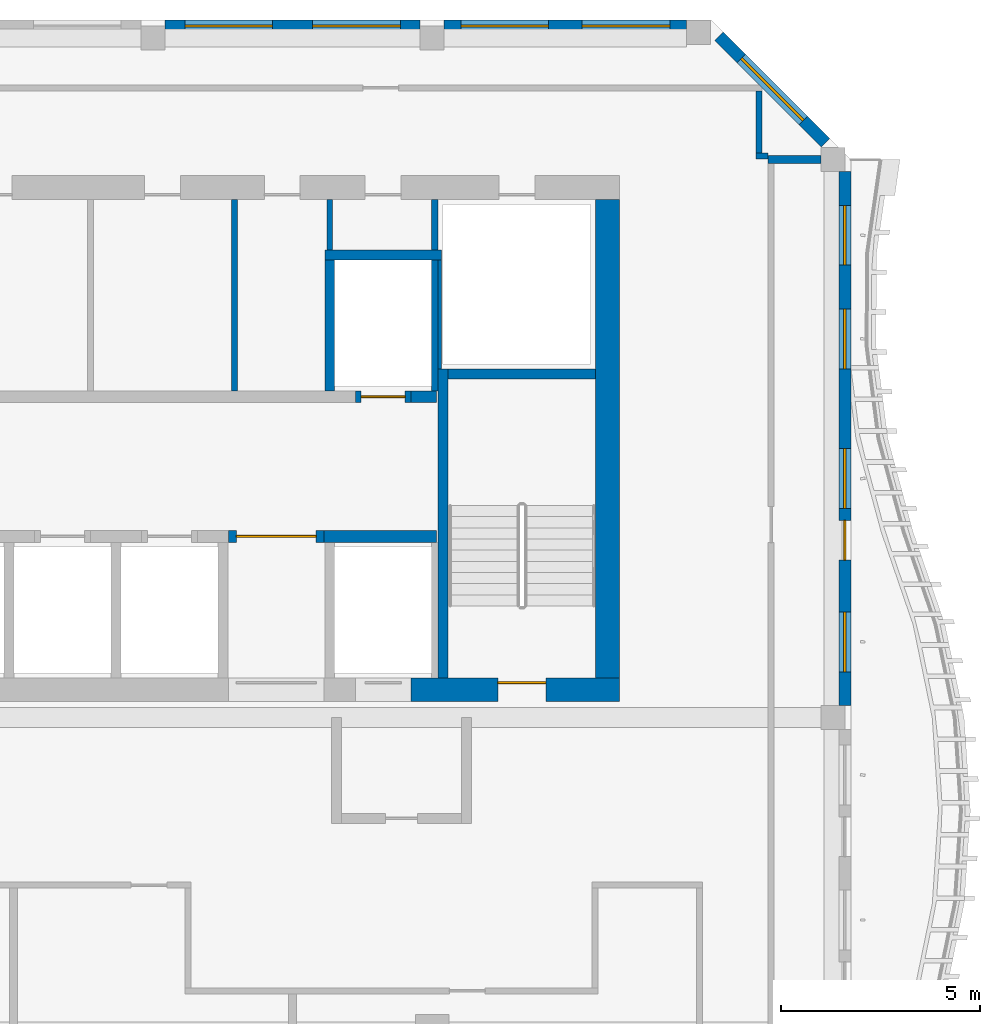
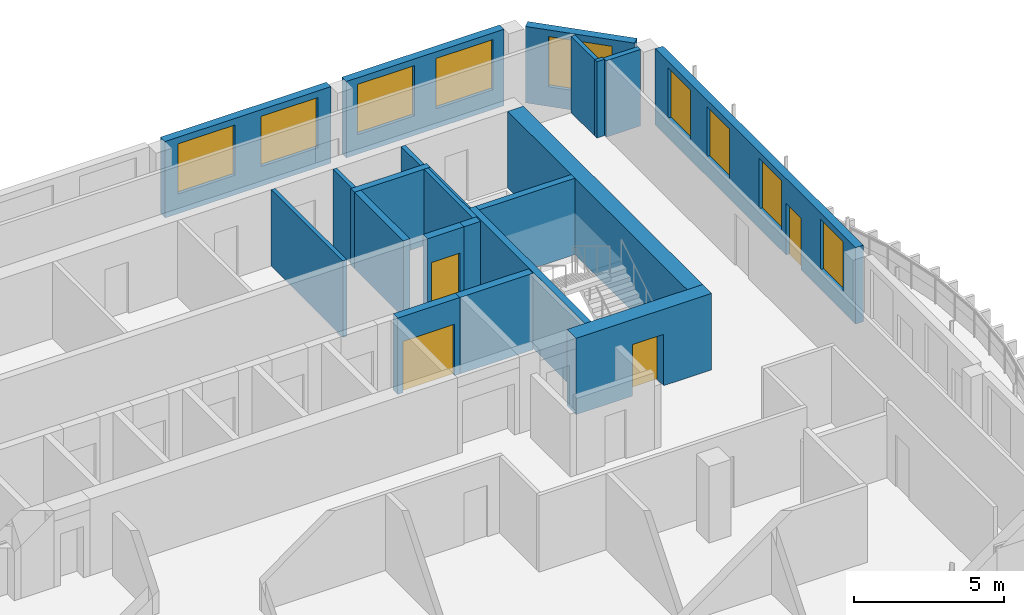
# One storey, part 8 of 17: 22 walls, 9 windows, 4 doors, 13 openings.
"""IFC4 building model written with IfcOpenShell, lengths in metres."""

from ifc_helpers import new_model, si_unit, direction, frame, frame_2d, origin, place, context, subcontext, project, spatial, rectangle, extrude, source, transform, mapped, material, layer, layer_set, type_object, element, fill, save


model = new_model("IFC4")

# Units and contexts
model_context = context("Model", 3, precision=1e-05, world=origin(), true_north=direction((0.0, 1.0)))
body_context = subcontext(model_context, "Body", "Model", "MODEL_VIEW")
ifc_project = project(units=[si_unit("LENGTHUNIT", "METRE"), si_unit("AREAUNIT", "SQUARE_METRE"), si_unit("VOLUMEUNIT", "CUBIC_METRE"), si_unit("PLANEANGLEUNIT", "RADIAN"), si_unit("MASSUNIT", "GRAM", prefix="KILO")], contexts=[model_context])

# Site, building, storey
site_placement = place(None, origin())
site = spatial("IfcSite", under=ifc_project, at=site_placement, CompositionType="ELEMENT")
building_placement = place(site_placement, origin())
building = spatial("IfcBuilding", under=site, at=building_placement, Name="Kilnfold Tower and Market Hall", CompositionType="ELEMENT")
storey_placement = place(building_placement, frame((0.0, 0.0, 305.199951171875)))
storey = spatial("IfcBuildingStorey", under=building, at=storey_placement, Name="L76", CompositionType="ELEMENT", Elevation=305.199951171875)

# Walls
ifc_material_1 = material(Name="Gypsum board on steel studs", Category="steel")
ifc_layer_1 = layer(ifc_material_1, 0.14990234375)
ifc_layer_set_1 = layer_set([ifc_layer_1], Name="Gypsum board on steel studs")
wall_type_1 = type_object("IfcWallType", Name="WALL CORRIDOR 150", PredefinedType="PARTITIONING", material=ifc_layer_set_1)
wall_1_placement = place(storey_placement, frame((21.199951171875, 22.1630859375, 0.0), z_axis=(0.0, 0.0, 1.0), x_axis=(0.0, 1.0, 0.0)))
element("IfcWall", 1, at=wall_1_placement, inside=storey, type_object=wall_type_1, Name="Partition LY46.8", PredefinedType="PARTITIONING", context=body_context, shape_type="SweptSolid", body=[
    extrude(rectangle(XDim=1.56201171875, YDim=0.14990234375, at=frame_2d((0.781005859375, 0.0))), origin(), (0.0, 0.0, 1.0), 3.1201171875),
])
wall_2_placement = place(storey_placement, frame((21.427001953125, 22.087890625, 0.0), z_axis=(0.0, 0.0, 1.0), x_axis=(-1.0, 0.0, 0.0)))
element("IfcWall", 2, at=wall_2_placement, inside=storey, type_object=wall_type_1, Name="Partition LY46.9", PredefinedType="PARTITIONING", context=body_context, shape_type="SweptSolid", body=[
    extrude(rectangle(XDim=0.302001953125, YDim=0.14990234375, at=frame_2d((0.15087890625, 0.0))), origin(), (0.0, 0.0, 1.0), 3.1201171875),
])
ifc_material_2 = material(Name="Gypsum board on steel studs", Category="steel")
ifc_layer_2 = layer(ifc_material_2, 0.199951171875)
ifc_layer_set_2 = layer_set([ifc_layer_2], Name="Gypsum board on steel studs")
wall_type_2 = type_object("IfcWallType", Name="WALL PARTY 200", PredefinedType="PARTITIONING", material=ifc_layer_set_2)
wall_3_placement = place(storey_placement, frame((22.75, 22.0, 0.0), z_axis=(0.0, 0.0, 1.0), x_axis=(-1.0, 0.0, 0.0)))
element("IfcWall", 3, at=wall_3_placement, inside=storey, type_object=wall_type_2, Name="Partition LY46.58", PredefinedType="PARTITIONING", context=body_context, shape_type="SweptSolid", body=[
    extrude(rectangle(XDim=1.322998046875, YDim=0.199951171875, at=frame_2d((0.66162109375, 0.0))), origin(), (0.0, 0.0, 1.0), 3.1201171875),
])
ifc_material_3 = material(Name="Concrete C50", Category="concrete")
ifc_layer_3 = layer(ifc_material_3, 0.25)
ifc_layer_set_3 = layer_set([ifc_layer_3], Name="Concrete C50")
wall_type_3 = type_object("IfcWallType", Name="CORE WALL 250 C50", PredefinedType="SHEAR", material=ifc_layer_set_3)
shared_shape_1 = source(origin(), body_context, "Body", "SweptSolid", [
    extrude(rectangle(XDim=7.75, YDim=0.25, at=frame_2d((3.875, 0.0))), origin(), (0.0, 0.0, 1.0), 3.1201171875),
])
wall_4_placement = place(storey_placement, frame((13.27490234375, 9.0, 0.0), z_axis=(0.0, 0.0, 1.0), x_axis=(0.0, 1.0, 0.0)))
element("IfcWall", 4, at=wall_4_placement, inside=storey, type_object=wall_type_3, Name="Stair enclosure ST2", PredefinedType="SHEAR", context=body_context, shape_type="MappedRepresentation", body=[
    mapped(shared_shape_1, transform((0.0, 0.0, 0.0))),
])
shared_shape_2 = source(origin(), body_context, "Body", "SweptSolid", [
    extrude(rectangle(XDim=3.7001953125, YDim=0.25, at=frame_2d((1.85009765625, 0.0))), origin(), (0.0, 0.0, 1.0), 3.1201171875),
])
wall_5_placement = place(storey_placement, frame((13.39990234375, 16.625, 0.0), z_axis=(0.0, 0.0, 1.0), x_axis=(1.0, 0.0, 0.0)))
element("IfcWall", 5, at=wall_5_placement, inside=storey, type_object=wall_type_3, Name="Stair enclosure ST2", PredefinedType="SHEAR", context=body_context, shape_type="MappedRepresentation", body=[
    mapped(shared_shape_2, transform((0.0, 0.0, 0.0))),
])
ifc_material_4 = material(Name="Concrete C50", Category="concrete")
ifc_layer_4 = layer(ifc_material_4, 0.300048828125)
ifc_layer_set_4 = layer_set([ifc_layer_4], Name="Concrete C50")
wall_type_4 = type_object("IfcWallType", Name="CORE WALL 300 C50", PredefinedType="SHEAR", material=ifc_layer_set_4)
shared_shape_3 = source(origin(), body_context, "Body", "SweptSolid", [
    extrude(rectangle(XDim=2.820068359375, YDim=0.300048828125, at=frame_2d((1.41015625, 0.0))), origin(), (0.0, 0.0, 1.0), 3.1201171875),
])
wall_6_placement = place(storey_placement, frame((10.2900390625, 12.550048828125, 0.0), z_axis=(0.0, 0.0, 1.0), x_axis=(1.0, 0.0, 0.0)))
element("IfcWall", 6, at=wall_6_placement, inside=storey, type_object=wall_type_4, Name="Core spine wall", PredefinedType="SHEAR", context=body_context, shape_type="MappedRepresentation", body=[
    mapped(shared_shape_3, transform((0.0, 0.0, 0.0))),
])
shared_shape_4 = source(origin(), body_context, "Body", "SweptSolid", [
    extrude(rectangle(XDim=0.64013671875, YDim=0.300048828125, at=frame_2d((0.320068359375, 0.0))), origin(), (0.0, 0.0, 1.0), 3.1201171875),
])
wall_7_placement = place(storey_placement, frame((12.469970703125, 16.050048828125, 0.0), z_axis=(0.0, 0.0, 1.0), x_axis=(1.0, 0.0, 0.0)))
element("IfcWall", 7, at=wall_7_placement, inside=storey, type_object=wall_type_4, Name="Core spine wall", PredefinedType="SHEAR", context=body_context, shape_type="MappedRepresentation", body=[
    mapped(shared_shape_4, transform((0.0, 0.0, 0.0))),
])

# Wall, opening, door
ifc_material_5 = material(Name="Concrete C50", Category="concrete")
ifc_layer_5 = layer(ifc_material_5, 0.60009765625)
ifc_layer_set_5 = layer_set([ifc_layer_5], Name="Concrete C50")
wall_type_5 = type_object("IfcWallType", Name="CORE WALL 600 C50", PredefinedType="SHEAR", material=ifc_layer_set_5)
shared_shape_5 = source(origin(), body_context, "Body", "SweptSolid", [
    extrude(rectangle(XDim=5.22998046875, YDim=0.60009765625, at=frame_2d((2.614990234375, 0.0))), origin(), (0.0, 0.0, 1.0), 3.1201171875),
])
wall_8_placement = place(storey_placement, frame((12.469970703125, 8.699951171875, 0.0), z_axis=(0.0, 0.0, 1.0), x_axis=(1.0, 0.0, 0.0)))
wall_8 = element("IfcWall", 8, at=wall_8_placement, inside=storey, type_object=wall_type_5, Name="Core outer wall south", PredefinedType="SHEAR", context=body_context, shape_type="MappedRepresentation", body=[
    mapped(shared_shape_5, transform((0.0, 0.0, 0.0))),
])
opening_1_placement = place(wall_8_placement, frame((2.179931640625, 0.0, 0.0)))
opening_1 = element("IfcOpeningElement", 9, at=opening_1_placement, cuts=wall_8, Name="Opening SD1", PredefinedType="OPENING", context=body_context, shape_type="SweptSolid", body=[
    extrude(rectangle(XDim=1.199951171875, YDim=2.10009765625, at=frame_2d((0.60009765625, 1.050048828125))), frame((0.0, 0.31005859375, 0.0), z_axis=(0.0, -1.0, 0.0), x_axis=(1.0, 0.0, 0.0)), (0.0, 0.0, 1.0), 0.6201171875),
])
ifc_material_6 = material(Name="Steel door set with fire-resisting leaf", Category="steel")
door_type_1 = type_object("IfcDoorType", Name="STAIR FLOOR DOOR 1200X2100", OperationType="NOTDEFINED", PredefinedType="DOOR", material=ifc_material_6)
door_1_placement = place(opening_1_placement, origin())
door_1 = element("IfcDoor", 10, at=door_1_placement, inside=storey, type_object=door_type_1, Name="Exit stair ST2 door", OperationType="DOUBLE_DOOR_SINGLE_SWING", OverallHeight=2.10009765625, OverallWidth=1.199951171875, PredefinedType="DOOR", context=body_context, shape_type="SweptSolid", body=[
    extrude(rectangle(XDim=1.199951171875, YDim=2.10009765625, at=frame_2d((0.60009765625, 1.050048828125))), frame((0.0, 0.205078125, 0.0), z_axis=(0.0, -1.0, 0.0), x_axis=(1.0, 0.0, 0.0)), (0.0, 0.0, 1.0), 0.050048828125),
])
fill(opening_1, door_1)

# Wall
shared_shape_6 = source(origin(), body_context, "Body", "SweptSolid", [
    extrude(rectangle(XDim=12.0, YDim=0.60009765625, at=frame_2d((6.0, 0.0))), origin(), (0.0, 0.0, 1.0), 3.1201171875),
])
wall_9_placement = place(storey_placement, frame((17.39990234375, 9.0, 0.0), z_axis=(0.0, 0.0, 1.0), x_axis=(0.0, 1.0, 0.0)))
element("IfcWall", 11, at=wall_9_placement, inside=storey, type_object=wall_type_5, Name="Core outer wall east", PredefinedType="SHEAR", context=body_context, shape_type="MappedRepresentation", body=[
    mapped(shared_shape_6, transform((0.0, 0.0, 0.0))),
])

# Wall, openings, windows
ifc_material_7 = material(Name="Precast concrete C50/60", Category="concrete")
ifc_layer_6 = layer(ifc_material_7, 0.300048828125)
ifc_layer_set_6 = layer_set([ifc_layer_6], Name="Precast concrete C50/60")
wall_type_6 = type_object("IfcWallType", Name="PRECAST WALL 300", PredefinedType="SOLIDWALL", material=ifc_layer_set_6)
shared_shape_7 = source(origin(), body_context, "Body", "SweptSolid", [
    extrude(rectangle(XDim=6.39990234375, YDim=0.300048828125, at=frame_2d((3.199951171875, 0.0))), origin(), (0.0, 0.0, 1.0), 3.1201171875),
])
wall_10_placement = place(storey_placement, frame((12.699951171875, 25.35009765625, 0.0), z_axis=(0.0, 0.0, 1.0), x_axis=(-1.0, 0.0, 0.0)))
wall_10 = element("IfcWall", 12, at=wall_10_placement, inside=storey, type_object=wall_type_6, Name="External wall L76 N", PredefinedType="SOLIDWALL", context=body_context, shape_type="MappedRepresentation", body=[
    mapped(shared_shape_7, transform((0.0, 0.0, 0.0))),
])
opening_2_placement = place(wall_10_placement, frame((0.5, 0.0, 0.800048828125)))
opening_2 = element("IfcOpeningElement", 13, at=opening_2_placement, cuts=wall_10, Name="Opening W3", PredefinedType="OPENING", context=body_context, shape_type="SweptSolid", body=[
    extrude(rectangle(XDim=2.199951171875, YDim=2.050048828125, at=frame_2d((1.10009765625, 1.02490234375))), frame((0.0, 0.16015625, 0.0), z_axis=(0.0, -1.0, 0.0), x_axis=(1.0, 0.0, 0.0)), (0.0, 0.0, 1.0), 0.320068359375),
])
opening_3_placement = place(wall_10_placement, frame((3.699951171875, 0.0, 0.800048828125)))
opening_3 = element("IfcOpeningElement", 14, at=opening_3_placement, cuts=wall_10, Name="Opening W3", PredefinedType="OPENING", context=body_context, shape_type="SweptSolid", body=[
    extrude(rectangle(XDim=2.199951171875, YDim=2.050048828125, at=frame_2d((1.10009765625, 1.02490234375))), frame((0.0, 0.16015625, 0.0), z_axis=(0.0, -1.0, 0.0), x_axis=(1.0, 0.0, 0.0)), (0.0, 0.0, 1.0), 0.320068359375),
])
ifc_material_8 = material(Name="Aluminium frame and double glazing", Category="aluminium")
window_type_1 = type_object("IfcWindowType", Name="WINDOW W3 2200X2050", PartitioningType="SINGLE_PANEL", PredefinedType="WINDOW", material=ifc_material_8)
window_1_placement = place(opening_2_placement, origin())
window_1 = element("IfcWindow", 15, at=window_1_placement, inside=storey, type_object=window_type_1, Name="Window W3 L76 N-1", OverallHeight=2.050048828125, OverallWidth=2.199951171875, PartitioningType="SINGLE_PANEL", PredefinedType="WINDOW", context=body_context, shape_type="SweptSolid", body=[
    extrude(rectangle(XDim=2.199951171875, YDim=2.050048828125, at=frame_2d((1.10009765625, 1.02490234375))), frame((0.0, 0.030029296875, 0.0), z_axis=(0.0, -1.0, 0.0), x_axis=(1.0, 0.0, 0.0)), (0.0, 0.0, 1.0), 0.06005859375),
])
fill(opening_2, window_1)
window_2_placement = place(opening_3_placement, origin())
window_2 = element("IfcWindow", 16, at=window_2_placement, inside=storey, type_object=window_type_1, Name="Window W3 L76 N-2", OverallHeight=2.050048828125, OverallWidth=2.199951171875, PartitioningType="SINGLE_PANEL", PredefinedType="WINDOW", context=body_context, shape_type="SweptSolid", body=[
    extrude(rectangle(XDim=2.199951171875, YDim=2.050048828125, at=frame_2d((1.10009765625, 1.02490234375))), frame((0.0, 0.030029296875, 0.0), z_axis=(0.0, -1.0, 0.0), x_axis=(1.0, 0.0, 0.0)), (0.0, 0.0, 1.0), 0.06005859375),
])
fill(opening_3, window_2)

# Wall, opening, window
shared_shape_8 = source(origin(), body_context, "Body", "SweptSolid", [
    extrude(rectangle(XDim=3.783203125, YDim=0.300048828125, at=frame_2d((1.8916015625, 0.0))), origin(), (0.0, 0.0, 1.0), 3.1201171875),
])
wall_11_placement = place(storey_placement, frame((22.868896484375, 22.4189453125, 0.0), z_axis=(0.0, 0.0, 1.0), x_axis=(-0.707106781187, 0.707106781187, 0.0)))
wall_11 = element("IfcWall", 17, at=wall_11_placement, inside=storey, type_object=wall_type_6, Name="External wall L76 NE", PredefinedType="SOLIDWALL", context=body_context, shape_type="MappedRepresentation", body=[
    mapped(shared_shape_8, transform((0.0, 0.0, 0.0))),
])
opening_4_placement = place(wall_11_placement, frame((0.79150390625, 0.0, 0.800048828125)))
opening_4 = element("IfcOpeningElement", 18, at=opening_4_placement, cuts=wall_11, Name="Opening W3", PredefinedType="OPENING", context=body_context, shape_type="SweptSolid", body=[
    extrude(rectangle(XDim=2.199951171875, YDim=2.050048828125, at=frame_2d((1.10009765625, 1.02490234375))), frame((0.0, 0.16015625, 0.0), z_axis=(0.0, -1.0, 0.0), x_axis=(1.0, 0.0, 0.0)), (0.0, 0.0, 1.0), 0.320068359375),
])
window_3_placement = place(opening_4_placement, origin())
window_3 = element("IfcWindow", 19, at=window_3_placement, inside=storey, type_object=window_type_1, Name="Window W3 L76 NE-1", OverallHeight=2.050048828125, OverallWidth=2.199951171875, PartitioningType="SINGLE_PANEL", PredefinedType="WINDOW", context=body_context, shape_type="SweptSolid", body=[
    extrude(rectangle(XDim=2.199951171875, YDim=2.050048828125, at=frame_2d((1.10009765625, 1.02490234375))), frame((0.0, 0.030029296875, 0.0), z_axis=(0.0, -1.0, 0.0), x_axis=(1.0, 0.0, 0.0)), (0.0, 0.0, 1.0), 0.06005859375),
])
fill(opening_4, window_3)

# Wall, openings, door, windows
shared_shape_9 = source(origin(), body_context, "Body", "SweptSolid", [
    extrude(rectangle(XDim=13.39990234375, YDim=0.300048828125, at=frame_2d((6.699951171875, 0.0))), origin(), (0.0, 0.0, 1.0), 3.1201171875),
])
wall_12_placement = place(storey_placement, frame((23.35009765625, 8.300048828125, 0.0), z_axis=(0.0, 0.0, 1.0), x_axis=(0.0, 1.0, 0.0)))
wall_12 = element("IfcWall", 20, at=wall_12_placement, inside=storey, type_object=wall_type_6, Name="External wall L76 E", PredefinedType="SOLIDWALL", context=body_context, shape_type="MappedRepresentation", body=[
    mapped(shared_shape_9, transform((0.0, 0.0, 0.0))),
])
opening_5_placement = place(wall_12_placement, frame((0.85009765625, 0.0, 0.800048828125)))
opening_5 = element("IfcOpeningElement", 21, at=opening_5_placement, cuts=wall_12, Name="Opening W5", PredefinedType="OPENING", context=body_context, shape_type="SweptSolid", body=[
    extrude(rectangle(XDim=1.5, YDim=2.050048828125, at=frame_2d((0.75, 1.02490234375))), frame((0.0, 0.16015625, 0.0), z_axis=(0.0, -1.0, 0.0), x_axis=(1.0, 0.0, 0.0)), (0.0, 0.0, 1.0), 0.320068359375),
])
opening_6_placement = place(wall_12_placement, frame((4.949951171875, 0.0, 0.800048828125)))
opening_6 = element("IfcOpeningElement", 22, at=opening_6_placement, cuts=wall_12, Name="Opening W5", PredefinedType="OPENING", context=body_context, shape_type="SweptSolid", body=[
    extrude(rectangle(XDim=1.5, YDim=2.050048828125, at=frame_2d((0.75, 1.02490234375))), frame((0.0, 0.16015625, 0.0), z_axis=(0.0, -1.0, 0.0), x_axis=(1.0, 0.0, 0.0)), (0.0, 0.0, 1.0), 0.320068359375),
])
opening_7_placement = place(wall_12_placement, frame((3.64990234375, 0.0, 0.0)))
opening_7 = element("IfcOpeningElement", 23, at=opening_7_placement, cuts=wall_12, Name="Opening BD1", PredefinedType="OPENING", context=body_context, shape_type="SweptSolid", body=[
    extrude(rectangle(XDim=1.0, YDim=2.10009765625, at=frame_2d((0.5, 1.050048828125))), frame((0.0, 0.16015625, 0.0), z_axis=(0.0, -1.0, 0.0), x_axis=(1.0, 0.0, 0.0)), (0.0, 0.0, 1.0), 0.320068359375),
])
opening_8_placement = place(wall_12_placement, frame((8.449951171875, 0.0, 0.800048828125)))
opening_8 = element("IfcOpeningElement", 24, at=opening_8_placement, cuts=wall_12, Name="Opening W5", PredefinedType="OPENING", context=body_context, shape_type="SweptSolid", body=[
    extrude(rectangle(XDim=1.5, YDim=2.050048828125, at=frame_2d((0.75, 1.02490234375))), frame((0.0, 0.16015625, 0.0), z_axis=(0.0, -1.0, 0.0), x_axis=(1.0, 0.0, 0.0)), (0.0, 0.0, 1.0), 0.320068359375),
])
opening_9_placement = place(wall_12_placement, frame((11.050048828125, 0.0, 0.800048828125)))
opening_9 = element("IfcOpeningElement", 25, at=opening_9_placement, cuts=wall_12, Name="Opening W5", PredefinedType="OPENING", context=body_context, shape_type="SweptSolid", body=[
    extrude(rectangle(XDim=1.5, YDim=2.050048828125, at=frame_2d((0.75, 1.02490234375))), frame((0.0, 0.16015625, 0.0), z_axis=(0.0, -1.0, 0.0), x_axis=(1.0, 0.0, 0.0)), (0.0, 0.0, 1.0), 0.320068359375),
])
ifc_material_9 = material(Name="Aluminium frame and double glazing", Category="aluminium")
door_type_2 = type_object("IfcDoorType", Name="BALCONY DOOR 1000X2100", OperationType="NOTDEFINED", PredefinedType="DOOR", material=ifc_material_9)
door_2_placement = place(opening_7_placement, origin())
door_2 = element("IfcDoor", 26, at=door_2_placement, inside=storey, type_object=door_type_2, Name="Balcony door BD1 L76 E-2", OperationType="SINGLE_SWING_RIGHT", OverallHeight=2.10009765625, OverallWidth=1.0, PredefinedType="DOOR", context=body_context, shape_type="SweptSolid", body=[
    extrude(rectangle(XDim=1.0, YDim=2.10009765625, at=frame_2d((0.5, 1.050048828125))), frame((0.0, 0.02490234375, 0.0), z_axis=(0.0, -1.0, 0.0), x_axis=(1.0, 0.0, 0.0)), (0.0, 0.0, 1.0), 0.050048828125),
])
fill(opening_7, door_2)
ifc_material_10 = material(Name="Aluminium frame and double glazing", Category="aluminium")
window_type_2 = type_object("IfcWindowType", Name="WINDOW W5 1500X2050", PartitioningType="SINGLE_PANEL", PredefinedType="WINDOW", material=ifc_material_10)
window_4_placement = place(opening_5_placement, origin())
window_4 = element("IfcWindow", 27, at=window_4_placement, inside=storey, type_object=window_type_2, Name="Window W5 L76 E-1", OverallHeight=2.050048828125, OverallWidth=1.5, PartitioningType="SINGLE_PANEL", PredefinedType="WINDOW", context=body_context, shape_type="SweptSolid", body=[
    extrude(rectangle(XDim=1.5, YDim=2.050048828125, at=frame_2d((0.75, 1.02490234375))), frame((0.0, 0.030029296875, 0.0), z_axis=(0.0, -1.0, 0.0), x_axis=(1.0, 0.0, 0.0)), (0.0, 0.0, 1.0), 0.06005859375),
])
fill(opening_5, window_4)
window_5_placement = place(opening_6_placement, origin())
window_5 = element("IfcWindow", 28, at=window_5_placement, inside=storey, type_object=window_type_2, Name="Window W5 L76 E-2", OverallHeight=2.050048828125, OverallWidth=1.5, PartitioningType="SINGLE_PANEL", PredefinedType="WINDOW", context=body_context, shape_type="SweptSolid", body=[
    extrude(rectangle(XDim=1.5, YDim=2.050048828125, at=frame_2d((0.75, 1.02490234375))), frame((0.0, 0.030029296875, 0.0), z_axis=(0.0, -1.0, 0.0), x_axis=(1.0, 0.0, 0.0)), (0.0, 0.0, 1.0), 0.06005859375),
])
fill(opening_6, window_5)
window_6_placement = place(opening_8_placement, origin())
window_6 = element("IfcWindow", 29, at=window_6_placement, inside=storey, type_object=window_type_2, Name="Window W5 L76 E-3", OverallHeight=2.050048828125, OverallWidth=1.5, PartitioningType="SINGLE_PANEL", PredefinedType="WINDOW", context=body_context, shape_type="SweptSolid", body=[
    extrude(rectangle(XDim=1.5, YDim=2.050048828125, at=frame_2d((0.75, 1.02490234375))), frame((0.0, 0.030029296875, 0.0), z_axis=(0.0, -1.0, 0.0), x_axis=(1.0, 0.0, 0.0)), (0.0, 0.0, 1.0), 0.06005859375),
])
fill(opening_8, window_6)
window_7_placement = place(opening_9_placement, origin())
window_7 = element("IfcWindow", 30, at=window_7_placement, inside=storey, type_object=window_type_2, Name="Window W5 L76 E-4", OverallHeight=2.050048828125, OverallWidth=1.5, PartitioningType="SINGLE_PANEL", PredefinedType="WINDOW", context=body_context, shape_type="SweptSolid", body=[
    extrude(rectangle(XDim=1.5, YDim=2.050048828125, at=frame_2d((0.75, 1.02490234375))), frame((0.0, 0.030029296875, 0.0), z_axis=(0.0, -1.0, 0.0), x_axis=(1.0, 0.0, 0.0)), (0.0, 0.0, 1.0), 0.06005859375),
])
fill(opening_9, window_7)

# Wall, openings, windows
shared_shape_10 = source(origin(), body_context, "Body", "SweptSolid", [
    extrude(rectangle(XDim=6.081787109375, YDim=0.300048828125, at=frame_2d((3.041015625, 0.0))), origin(), (0.0, 0.0, 1.0), 3.1201171875),
])
wall_13_placement = place(storey_placement, frame((19.3818359375, 25.35009765625, 0.0), z_axis=(0.0, 0.0, 1.0), x_axis=(-1.0, 0.0, 0.0)))
wall_13 = element("IfcWall", 31, at=wall_13_placement, inside=storey, type_object=wall_type_6, Name="External wall L76 N", PredefinedType="SOLIDWALL", context=body_context, shape_type="MappedRepresentation", body=[
    mapped(shared_shape_10, transform((0.0, 0.0, 0.0))),
])
opening_10_placement = place(wall_13_placement, frame((0.42041015625, 0.0, 0.800048828125)))
opening_10 = element("IfcOpeningElement", 32, at=opening_10_placement, cuts=wall_13, Name="Opening W3", PredefinedType="OPENING", context=body_context, shape_type="SweptSolid", body=[
    extrude(rectangle(XDim=2.199951171875, YDim=2.050048828125, at=frame_2d((1.10009765625, 1.02490234375))), frame((0.0, 0.16015625, 0.0), z_axis=(0.0, -1.0, 0.0), x_axis=(1.0, 0.0, 0.0)), (0.0, 0.0, 1.0), 0.320068359375),
])
opening_11_placement = place(wall_13_placement, frame((3.461181640625, 0.0, 0.800048828125)))
opening_11 = element("IfcOpeningElement", 33, at=opening_11_placement, cuts=wall_13, Name="Opening W3", PredefinedType="OPENING", context=body_context, shape_type="SweptSolid", body=[
    extrude(rectangle(XDim=2.199951171875, YDim=2.050048828125, at=frame_2d((1.10009765625, 1.02490234375))), frame((0.0, 0.16015625, 0.0), z_axis=(0.0, -1.0, 0.0), x_axis=(1.0, 0.0, 0.0)), (0.0, 0.0, 1.0), 0.320068359375),
])
window_8_placement = place(opening_10_placement, origin())
window_8 = element("IfcWindow", 34, at=window_8_placement, inside=storey, type_object=window_type_1, Name="Window W3 L76 N-1", OverallHeight=2.050048828125, OverallWidth=2.199951171875, PartitioningType="SINGLE_PANEL", PredefinedType="WINDOW", context=body_context, shape_type="SweptSolid", body=[
    extrude(rectangle(XDim=2.199951171875, YDim=2.050048828125, at=frame_2d((1.10009765625, 1.02490234375))), frame((0.0, 0.030029296875, 0.0), z_axis=(0.0, -1.0, 0.0), x_axis=(1.0, 0.0, 0.0)), (0.0, 0.0, 1.0), 0.06005859375),
])
fill(opening_10, window_8)
window_9_placement = place(opening_11_placement, origin())
window_9 = element("IfcWindow", 35, at=window_9_placement, inside=storey, type_object=window_type_1, Name="Window W3 L76 N-2", OverallHeight=2.050048828125, OverallWidth=2.199951171875, PartitioningType="SINGLE_PANEL", PredefinedType="WINDOW", context=body_context, shape_type="SweptSolid", body=[
    extrude(rectangle(XDim=2.199951171875, YDim=2.050048828125, at=frame_2d((1.10009765625, 1.02490234375))), frame((0.0, 0.030029296875, 0.0), z_axis=(0.0, -1.0, 0.0), x_axis=(1.0, 0.0, 0.0)), (0.0, 0.0, 1.0), 0.06005859375),
])
fill(opening_11, window_9)

# Wall, opening, door
ifc_material_11 = material(Name="Gypsum shaft wall system")
ifc_layer_7 = layer(ifc_material_11, 0.300048828125)
ifc_layer_set_7 = layer_set([ifc_layer_7], Name="Gypsum shaft wall system")
wall_type_7 = type_object("IfcWallType", Name="SHAFT WALL 300", PredefinedType="PARTITIONING", material=ifc_layer_set_7)
shared_shape_11 = source(origin(), body_context, "Body", "SweptSolid", [
    extrude(rectangle(XDim=1.39990234375, YDim=0.300048828125, at=frame_2d((0.699951171875, 0.0))), origin(), (0.0, 0.0, 1.0), 3.1201171875),
])
wall_14_placement = place(storey_placement, frame((11.070068359375, 16.050048828125, 0.0), z_axis=(0.0, 0.0, 1.0), x_axis=(1.0, 0.0, 0.0)))
wall_14 = element("IfcWall", 36, at=wall_14_placement, inside=storey, type_object=wall_type_7, Name="Lift shaft front wall", PredefinedType="PARTITIONING", context=body_context, shape_type="MappedRepresentation", body=[
    mapped(shared_shape_11, transform((0.0, 0.0, 0.0))),
])
opening_12_placement = place(wall_14_placement, frame((0.14990234375, 0.0, 0.0)))
opening_12 = element("IfcOpeningElement", 37, at=opening_12_placement, cuts=wall_14, Name="Opening LD2", PredefinedType="OPENING", context=body_context, shape_type="SweptSolid", body=[
    extrude(rectangle(XDim=1.10009765625, YDim=2.10009765625, at=frame_2d((0.550048828125, 1.050048828125))), frame((0.0, 0.16015625, 0.0), z_axis=(0.0, -1.0, 0.0), x_axis=(1.0, 0.0, 0.0)), (0.0, 0.0, 1.0), 0.320068359375),
])
ifc_material_12 = material(Name="Steel door set with fire-resisting leaf", Category="steel")
door_type_3 = type_object("IfcDoorType", Name="LANDING DOOR 1100X2100", OperationType="NOTDEFINED", PredefinedType="DOOR", material=ifc_material_12)
door_3_placement = place(opening_12_placement, origin())
door_3 = element("IfcDoor", 38, at=door_3_placement, inside=storey, type_object=door_type_3, Name="Landing door HR6", OperationType="DOUBLE_DOOR_SLIDING", OverallHeight=2.10009765625, OverallWidth=1.10009765625, PredefinedType="DOOR", context=body_context, shape_type="SweptSolid", body=[
    extrude(rectangle(XDim=1.10009765625, YDim=2.10009765625, at=frame_2d((0.550048828125, 1.050048828125))), frame((0.0, 0.02490234375, 0.0), z_axis=(0.0, -1.0, 0.0), x_axis=(1.0, 0.0, 0.0)), (0.0, 0.0, 1.0), 0.050048828125),
])
fill(opening_12, door_3)

shared_shape_12 = source(origin(), body_context, "Body", "SweptSolid", [
    extrude(rectangle(XDim=2.400146484375, YDim=0.300048828125, at=frame_2d((1.2001953125, 0.0))), origin(), (0.0, 0.0, 1.0), 3.1201171875),
])
wall_15_placement = place(storey_placement, frame((7.889892578125, 12.550048828125, 0.0), z_axis=(0.0, 0.0, 1.0), x_axis=(1.0, 0.0, 0.0)))
wall_15 = element("IfcWall", 39, at=wall_15_placement, inside=storey, type_object=wall_type_7, Name="Lift shaft front wall", PredefinedType="PARTITIONING", context=body_context, shape_type="MappedRepresentation", body=[
    mapped(shared_shape_12, transform((0.0, 0.0, 0.0))),
])
opening_13_placement = place(wall_15_placement, frame((0.199951171875, 0.0, 0.0)))
opening_13 = element("IfcOpeningElement", 40, at=opening_13_placement, cuts=wall_15, Name="Opening VD2", PredefinedType="OPENING", context=body_context, shape_type="SweptSolid", body=[
    extrude(rectangle(XDim=2.0, YDim=2.10009765625, at=frame_2d((1.0, 1.050048828125))), frame((0.0, 0.16015625, 0.0), z_axis=(0.0, -1.0, 0.0), x_axis=(1.0, 0.0, 0.0)), (0.0, 0.0, 1.0), 0.320068359375),
])
ifc_material_13 = material(Name="Steel door set with fire-resisting leaf", Category="steel")
door_type_4 = type_object("IfcDoorType", Name="LIFT LOBBY ENTRANCE DOOR 2000X2100", OperationType="NOTDEFINED", PredefinedType="DOOR", material=ifc_material_13)
door_4_placement = place(opening_13_placement, origin())
door_4 = element("IfcDoor", 41, at=door_4_placement, inside=storey, type_object=door_type_4, Name="Lift lobby entrance door", OperationType="DOUBLE_DOOR_SINGLE_SWING", OverallHeight=2.10009765625, OverallWidth=2.0, PredefinedType="DOOR", context=body_context, shape_type="SweptSolid", body=[
    extrude(rectangle(XDim=2.0, YDim=2.10009765625, at=frame_2d((1.0, 1.050048828125))), frame((0.0, 0.02490234375, 0.0), z_axis=(0.0, -1.0, 0.0), x_axis=(1.0, 0.0, 0.0)), (0.0, 0.0, 1.0), 0.050048828125),
])
fill(opening_13, door_4)

# Walls
ifc_material_14 = material(Name="Gypsum shaft wall system")
ifc_layer_8 = layer(ifc_material_14, 0.1650390625)
ifc_layer_set_8 = layer_set([ifc_layer_8], Name="Gypsum shaft wall system")
wall_type_8 = type_object("IfcWallType", Name="SHAFT WALL 165", PredefinedType="PARTITIONING", material=ifc_layer_set_8)
shared_shape_13 = source(origin(), body_context, "Body", "SweptSolid", [
    extrude(rectangle(XDim=3.275146484375, YDim=0.1650390625, at=frame_2d((1.6376953125, 0.0))), origin(), (0.0, 0.0, 1.0), 3.1201171875),
])
wall_16_placement = place(storey_placement, frame((13.0673828125, 16.199951171875, 0.0), z_axis=(0.0, 0.0, 1.0), x_axis=(0.0, 1.0, 0.0)))
element("IfcWall", 42, at=wall_16_placement, inside=storey, type_object=wall_type_8, Name="Lift shaft wall", PredefinedType="PARTITIONING", context=body_context, shape_type="MappedRepresentation", body=[
    mapped(shared_shape_13, transform((0.0, 0.0, 0.0))),
])
shared_shape_14 = source(origin(), body_context, "Body", "SweptSolid", [
    extrude(rectangle(XDim=1.27490234375, YDim=0.1650390625, at=frame_2d((0.637451171875, 0.0))), origin(), (0.0, 0.0, 1.0), 3.1201171875),
])
wall_17_placement = place(storey_placement, frame((13.0673828125, 19.72509765625, 0.0), z_axis=(0.0, 0.0, 1.0), x_axis=(0.0, 1.0, 0.0)))
element("IfcWall", 43, at=wall_17_placement, inside=storey, type_object=wall_type_8, Name="Lift shaft wall", PredefinedType="PARTITIONING", context=body_context, shape_type="MappedRepresentation", body=[
    mapped(shared_shape_14, transform((0.0, 0.0, 0.0))),
])
ifc_material_15 = material(Name="Gypsum shaft wall system")
ifc_layer_9 = layer(ifc_material_15, 0.25)
ifc_layer_set_9 = layer_set([ifc_layer_9], Name="Gypsum shaft wall system")
wall_type_9 = type_object("IfcWallType", Name="SHAFT WALL 250", PredefinedType="PARTITIONING", material=ifc_layer_set_9)
shared_shape_15 = source(origin(), body_context, "Body", "SweptSolid", [
    extrude(rectangle(XDim=3.275146484375, YDim=0.25, at=frame_2d((1.6376953125, 0.0))), origin(), (0.0, 0.0, 1.0), 3.1201171875),
])
wall_18_placement = place(storey_placement, frame((10.429931640625, 16.199951171875, 0.0), z_axis=(0.0, 0.0, 1.0), x_axis=(0.0, 1.0, 0.0)))
element("IfcWall", 44, at=wall_18_placement, inside=storey, type_object=wall_type_9, Name="Lift shaft wall", PredefinedType="PARTITIONING", context=body_context, shape_type="MappedRepresentation", body=[
    mapped(shared_shape_15, transform((0.0, 0.0, 0.0))),
])
ifc_material_16 = material(Name="Gypsum shaft wall system")
ifc_layer_10 = layer(ifc_material_16, 0.0849609375)
ifc_layer_set_10 = layer_set([ifc_layer_10], Name="Gypsum shaft wall system")
wall_type_10 = type_object("IfcWallType", Name="SHAFT WALL 85", PredefinedType="PARTITIONING", material=ifc_layer_set_10)
shared_shape_16 = source(origin(), body_context, "Body", "SweptSolid", [
    extrude(rectangle(XDim=2.72509765625, YDim=0.0849609375, at=frame_2d((1.362548828125, 0.0))), origin(), (0.0, 0.0, 1.0), 3.1201171875),
])
wall_19_placement = place(storey_placement, frame((13.1923828125, 16.75, 0.0), z_axis=(0.0, 0.0, 1.0), x_axis=(0.0, 1.0, 0.0)))
element("IfcWall", 45, at=wall_19_placement, inside=storey, type_object=wall_type_10, Name="Lift shaft wall", PredefinedType="PARTITIONING", context=body_context, shape_type="MappedRepresentation", body=[
    mapped(shared_shape_16, transform((0.0, 0.0, 0.0))),
])
ifc_material_17 = material(Name="Gypsum shaft wall system")
ifc_layer_11 = layer(ifc_material_17, 0.14990234375)
ifc_layer_set_11 = layer_set([ifc_layer_11], Name="Gypsum shaft wall system")
wall_type_11 = type_object("IfcWallType", Name="ROOM WALL 150", PredefinedType="PARTITIONING", material=ifc_layer_set_11)
shared_shape_17 = source(origin(), body_context, "Body", "SweptSolid", [
    extrude(rectangle(XDim=4.800048828125, YDim=0.14990234375, at=frame_2d((2.39990234375, 0.0))), origin(), (0.0, 0.0, 1.0), 3.1201171875),
])
wall_20_placement = place(storey_placement, frame((8.044921875, 16.199951171875, 0.0), z_axis=(0.0, 0.0, 1.0), x_axis=(0.0, 1.0, 0.0)))
element("IfcWall", 46, at=wall_20_placement, inside=storey, type_object=wall_type_11, Name="Core room wall", PredefinedType="PARTITIONING", context=body_context, shape_type="MappedRepresentation", body=[
    mapped(shared_shape_17, transform((0.0, 0.0, 0.0))),
])
shared_shape_18 = source(origin(), body_context, "Body", "SweptSolid", [
    extrude(rectangle(XDim=1.27490234375, YDim=0.14990234375, at=frame_2d((0.637451171875, 0.0))), origin(), (0.0, 0.0, 1.0), 3.1201171875),
])
wall_21_placement = place(storey_placement, frame((10.429931640625, 19.72509765625, 0.0), z_axis=(0.0, 0.0, 1.0), x_axis=(0.0, 1.0, 0.0)))
element("IfcWall", 47, at=wall_21_placement, inside=storey, type_object=wall_type_11, Name="Core room wall", PredefinedType="PARTITIONING", context=body_context, shape_type="MappedRepresentation", body=[
    mapped(shared_shape_18, transform((0.0, 0.0, 0.0))),
])
shared_shape_19 = source(origin(), body_context, "Body", "SweptSolid", [
    extrude(rectangle(XDim=2.93017578125, YDim=0.25, at=frame_2d((1.465087890625, 0.0))), origin(), (0.0, 0.0, 1.0), 3.1201171875),
])
wall_22_placement = place(storey_placement, frame((10.304931640625, 19.60009765625, 0.0), z_axis=(0.0, 0.0, 1.0), x_axis=(1.0, 0.0, 0.0)))
element("IfcWall", 48, at=wall_22_placement, inside=storey, type_object=wall_type_9, Name="Lift shaft wall", PredefinedType="PARTITIONING", context=body_context, shape_type="MappedRepresentation", body=[
    mapped(shared_shape_19, transform((0.0, 0.0, 0.0))),
])

save(model, "model.ifc")
